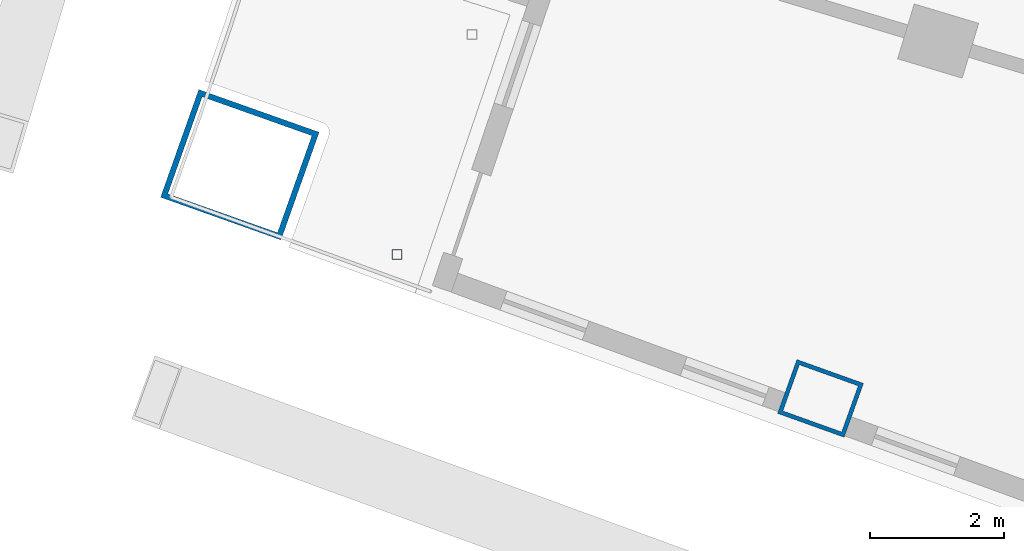
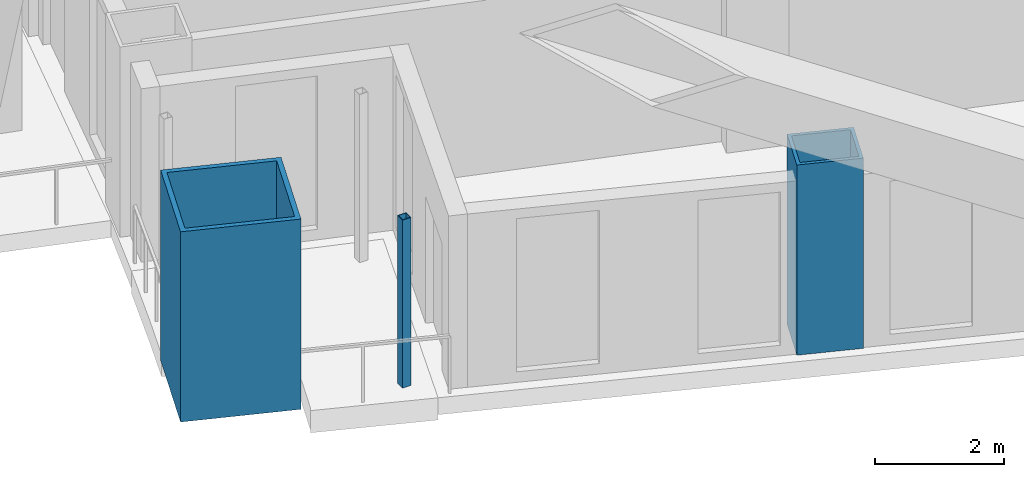
# One storey, part 1 of 25: 3 columns.
"""IFC4 building model written with IfcOpenShell, lengths in metres."""

from ifc_helpers import new_model, si_unit, direction, frame, origin, origin_2d, place, context, subcontext, project, spatial, hollow_rectangle, extrude, material, material_profile, profile_set, type_object, element, save


model = new_model("IFC4")

# Units and contexts
model_context = context("Model", 3, precision=1e-05, world=origin(), true_north=direction((0.0, 1.0)))
body_context = subcontext(model_context, "Body", "Model", "MODEL_VIEW")
ifc_project = project(units=[si_unit("LENGTHUNIT", "METRE"), si_unit("AREAUNIT", "SQUARE_METRE"), si_unit("VOLUMEUNIT", "CUBIC_METRE"), si_unit("PLANEANGLEUNIT", "RADIAN"), si_unit("MASSUNIT", "GRAM", prefix="KILO")], contexts=[model_context])

# Site, building, storey
site_placement = place(None, origin())
site = spatial("IfcSite", under=ifc_project, at=site_placement, CompositionType="ELEMENT")
building_placement = place(site_placement, origin())
building = spatial("IfcBuilding", under=site, at=building_placement, Name="Alderwake Tower", CompositionType="ELEMENT")
storey_placement = place(building_placement, frame((0.0, 0.0, 93.199951171875)))
storey = spatial("IfcBuildingStorey", under=building, at=storey_placement, Name="L22", CompositionType="ELEMENT", Elevation=93.199951171875)

# Columns
ifc_material_1 = material(Name="Steel ASTM A572 Grade 50 concrete filled C70/85", Category="concrete")
ifc_material_profile_1 = material_profile(ifc_material_1, hollow_rectangle(XDim=0.85009765625, YDim=1.050048828125, WallThickness=0.06005859375, at=origin_2d()), Name="BOX 1050X850X60")
ifc_profile_set_1 = profile_set([ifc_material_profile_1], Name="Steel ASTM A572 Grade 50 concrete filled C70/85")
column_type_1 = type_object("IfcColumnType", Name="End column Z2", PredefinedType="COLUMN", material=ifc_profile_set_1)
column_1_placement = place(storey_placement, frame((19.965576171875, 25.1484375, 0.0), z_axis=(0.0, 0.0, 1.0), x_axis=(0.337584879279, 0.9412950915, 0.0)))
element("IfcColumn", 1, at=column_1_placement, inside=storey, type_object=column_type_1, Name="Column R01-C1", PredefinedType="COLUMN", context=body_context, shape_type="SweptSolid", body=[
    extrude(hollow_rectangle(XDim=0.85009765625, YDim=1.050048828125, WallThickness=0.06005859375, at=origin_2d()), origin(), (0.0, 0.0, 1.0), 3.60009765625),
])
ifc_material_2 = material(Name="Steel ASTM A500 Grade C", Category="steel")
ifc_material_profile_2 = material_profile(ifc_material_2, hollow_rectangle(XDim=0.15234375, YDim=0.15234375, WallThickness=0.0087890625, at=origin_2d()), Name="HSS6X6X3/8")
ifc_profile_set_2 = profile_set([ifc_material_profile_2], Name="Steel ASTM A500 Grade C")
column_type_2 = type_object("IfcColumnType", Name="Light post HSS6X6X3/8", PredefinedType="COLUMN", material=ifc_profile_set_2)
column_2_placement = place(storey_placement, frame((13.66796875, 27.28759765625, 0.0), z_axis=(0.0, 0.0, 1.0), x_axis=(1.0, 0.0, 0.0)))
element("IfcColumn", 2, at=column_2_placement, inside=storey, type_object=column_type_2, Name="Terrace post RS2", PredefinedType="COLUMN", context=body_context, shape_type="SweptSolid", body=[
    extrude(hollow_rectangle(XDim=0.15234375, YDim=0.15234375, WallThickness=0.0087890625, at=origin_2d()), origin(), (0.0, 0.0, 1.0), 3.179931640625),
])
ifc_material_3 = material(Name="Steel ASTM A572 Grade 50 concrete filled C70/85", Category="concrete")
ifc_material_profile_3 = material_profile(ifc_material_3, hollow_rectangle(XDim=1.699951171875, YDim=1.89990234375, WallThickness=0.0849609375, at=origin_2d()), Name="BOX 1900X1700X85")
ifc_profile_set_3 = profile_set([ifc_material_profile_3], Name="Steel ASTM A572 Grade 50 concrete filled C70/85")
column_type_3 = type_object("IfcColumnType", Name="Mega column Z2", PredefinedType="COLUMN", material=ifc_profile_set_3)
column_3_placement = place(storey_placement, frame((11.330810546875, 28.622802734375, 0.0), z_axis=(0.0, 0.0, 1.0), x_axis=(0.334130947791, 0.942526662609, 0.0)))
element("IfcColumn", 3, at=column_3_placement, inside=storey, type_object=column_type_3, Name="Column R01-C0", PredefinedType="COLUMN", context=body_context, shape_type="SweptSolid", body=[
    extrude(hollow_rectangle(XDim=1.699951171875, YDim=1.89990234375, WallThickness=0.0849609375, at=origin_2d()), origin(), (0.0, 0.0, 1.0), 3.60009765625),
])

save(model, "model.ifc")
